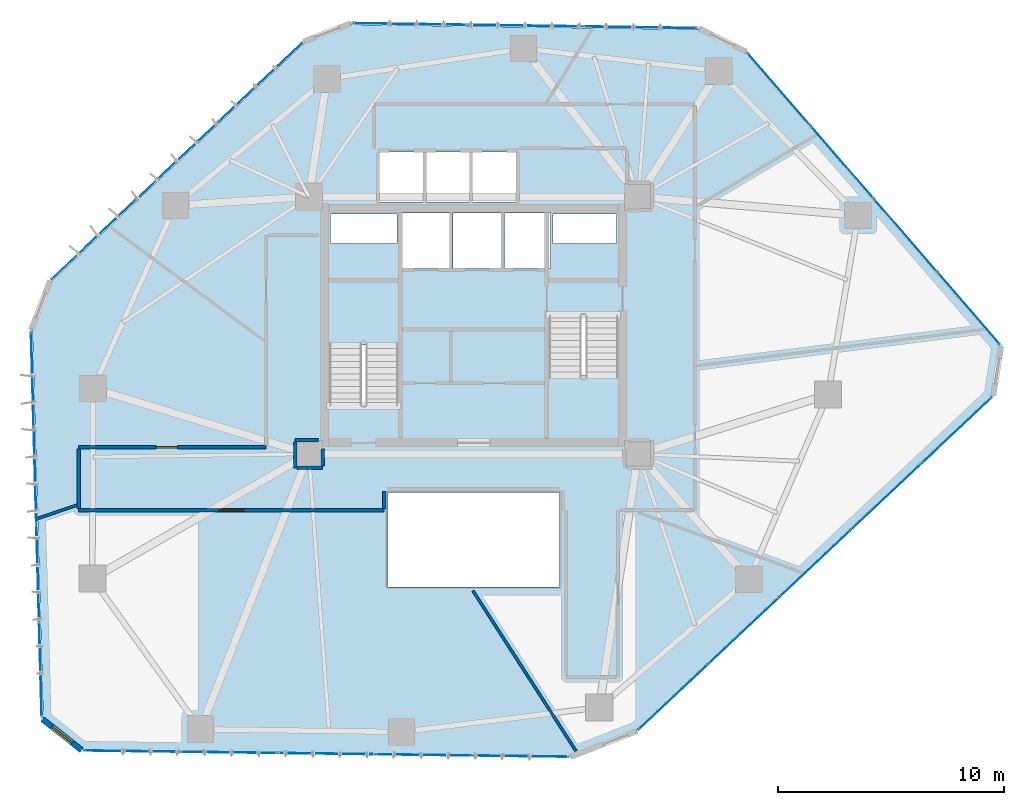
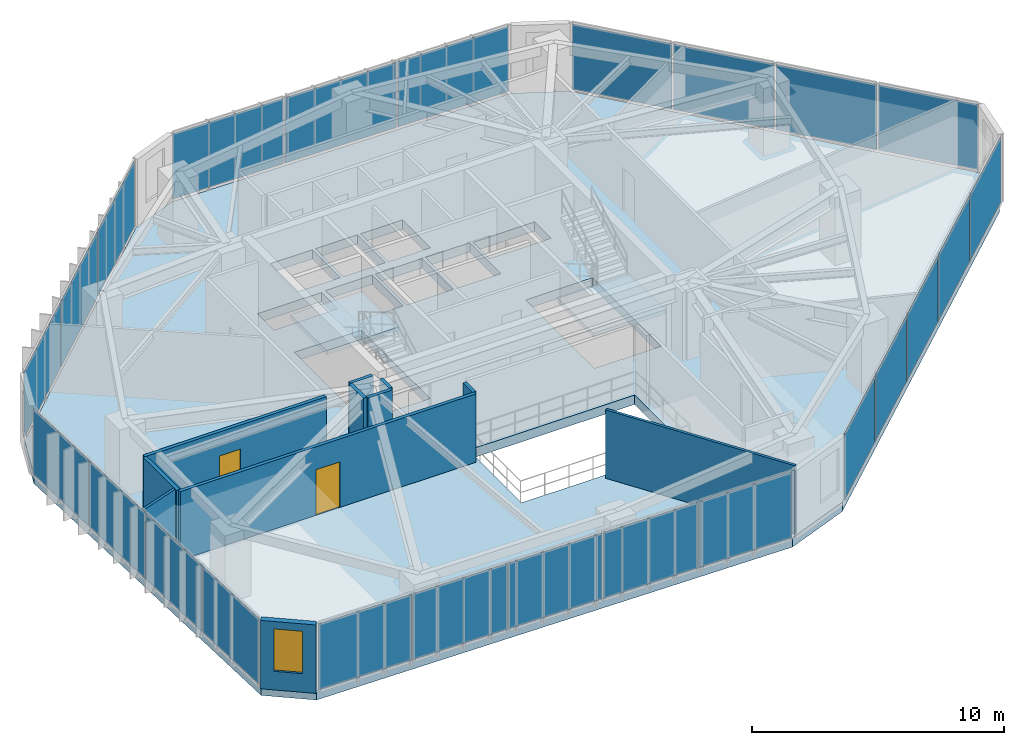
# One storey, part 17 of 22: 24 plates, 11 walls, 3 slabs, 2 doors, 1 window, 3 openings, 8 elements without a shape of their own.
"""IFC4 building model written with IfcOpenShell, lengths in metres."""

from ifc_helpers import new_model, si_unit, direction, frame, frame_2d, origin, origin_2d, place, context, subcontext, project, spatial, polyline, rectangle, outline, extrude, source, transform, mapped, material, layer, layer_set, type_object, type_shapes, element, fill, aggregate, save


model = new_model("IFC4")

# Units and contexts
model_context = context("Model", 3, precision=1e-05, world=origin(), true_north=direction((0.0, 1.0)))
body_context = subcontext(model_context, "Body", "Model", "MODEL_VIEW")
ifc_project = project(units=[si_unit("LENGTHUNIT", "METRE"), si_unit("AREAUNIT", "SQUARE_METRE"), si_unit("VOLUMEUNIT", "CUBIC_METRE"), si_unit("PLANEANGLEUNIT", "RADIAN"), si_unit("MASSUNIT", "GRAM", prefix="KILO")], contexts=[model_context])

# Site, building, storey
site_placement = place(None, origin())
site = spatial("IfcSite", under=ifc_project, at=site_placement, CompositionType="ELEMENT")
building_placement = place(site_placement, origin())
building = spatial("IfcBuilding", under=site, at=building_placement, Name="Talar Marvaseh", CompositionType="ELEMENT")
storey_placement = place(building_placement, frame((0.0, 0.0, 89.39990234375)))
storey = spatial("IfcBuildingStorey", under=building, at=storey_placement, Name="L22", CompositionType="ELEMENT", Elevation=89.39990234375)

# Stair, slab
ifc_material_1 = material(Name="Concrete C40/50", Category="concrete")
stair_type = type_object("IfcStairType", Name="Reinforced Concrete Half-Turn Exit Stair Type B", PredefinedType="HALF_TURN_STAIR", material=ifc_material_1)
stair_1_placement = place(storey_placement, origin())
stair_1 = element("IfcStair", 1, at=stair_1_placement, inside=storey, type_object=stair_type, Name="L22 Tower West Core Exit Stair", PredefinedType="HALF_TURN_STAIR")
ifc_layer_1 = layer(ifc_material_1, 0.199951171875)
ifc_layer_set_1 = layer_set([ifc_layer_1], Name="Concrete C40/50")
slab_type_1 = type_object("IfcSlabType", Name="Reinforced Concrete Stair Half-Landing Slab 200", PredefinedType="LANDING", material=ifc_layer_set_1)
slab_1_placement = place(storey_placement, frame((0.0, 0.0, 1.60009765625)))
slab_1 = element("IfcSlab", 2, at=slab_1_placement, type_object=slab_type_1, Name="ST-1 landing 1", PredefinedType="LANDING", context=body_context, shape_type="SweptSolid", body=[
    extrude(outline(polyline([(22.780029296875, 30.330078125), (22.780029296875, 33.219970703125), (19.47998046875, 33.219970703125), (19.47998046875, 30.330078125), (22.780029296875, 30.330078125)])), origin(), (0.0, 0.0, 1.0), 0.199951171875),
])
aggregate(stair_1, [slab_1])

stair_2_placement = place(storey_placement, origin())
stair_2 = element("IfcStair", 3, at=stair_2_placement, inside=storey, type_object=stair_type, Name="L22 Tower East Core Exit Stair", PredefinedType="HALF_TURN_STAIR")
slab_2_placement = place(storey_placement, frame((0.0, 0.0, 1.60009765625)))
slab_2 = element("IfcSlab", 4, at=slab_2_placement, type_object=slab_type_1, Name="ST-2 landing 1", PredefinedType="LANDING", context=body_context, shape_type="SweptSolid", body=[
    extrude(outline(polyline([(29.219970703125, 28.969970703125), (29.219970703125, 26.080078125), (32.52001953125, 26.080078125), (32.52001953125, 28.969970703125), (29.219970703125, 28.969970703125)])), origin(), (0.0, 0.0, 1.0), 0.199951171875),
])
aggregate(stair_2, [slab_2])

# Slab
ifc_material_2 = material(Name="Concrete C60/75", Category="concrete")
ifc_layer_2 = layer(ifc_material_2, 0.449951171875)
ifc_layer_set_2 = layer_set([ifc_layer_2], Name="Concrete C60/75")
slab_type_2 = type_object("IfcSlabType", Name="Structural Suspended Floor Slab 450", PredefinedType="FLOOR", material=ifc_layer_set_2)
slab_3_placement = place(storey_placement, frame((0.0, 0.0, -0.449951171875)))
element("IfcSlab", 5, at=slab_3_placement, inside=storey, type_object=slab_type_2, Name="L22 Tower Floor Slab", PredefinedType="FLOOR", context=body_context, shape_type="SweptSolid", body=[
    extrude(outline(polyline([(8.666015625, 12.416259765625), (6.927001953125, 13.791015625), (6.447998046875, 30.975830078125), (7.291748046875, 33.1591796875), (18.489013671875, 43.717529296875), (20.581298828125, 44.53125), (35.969970703125, 44.3115234375), (38.06689453125, 43.271728515625), (49.323974609375, 30.278076171875), (48.970458984375, 28.08984375), (33.222412109375, 13.2802734375), (30.28173828125, 12.13671875), (8.666015625, 12.416259765625)]), holes=[polyline([(22.659912109375, 27.64990234375), (22.659912109375, 33.10009765625), (19.60009765625, 33.10009765625), (19.60009765625, 27.64990234375), (22.659912109375, 27.64990234375)]), polyline([(29.340087890625, 31.64990234375), (29.340087890625, 26.199951171875), (32.39990234375, 26.199951171875), (32.39990234375, 31.64990234375), (29.340087890625, 31.64990234375)]), polyline([(22.800048828125, 33.719970703125), (24.93994140625, 33.719970703125), (24.93994140625, 36.179931640625), (22.800048828125, 36.179931640625), (22.800048828125, 33.719970703125)]), polyline([(25.080078125, 33.719970703125), (27.219970703125, 33.719970703125), (27.219970703125, 36.179931640625), (25.080078125, 36.179931640625), (25.080078125, 33.719970703125)]), polyline([(27.360107421875, 33.719970703125), (29.39990234375, 33.719970703125), (29.39990234375, 36.179931640625), (27.360107421875, 36.179931640625), (27.360107421875, 33.719970703125)]), polyline([(21.840087890625, 36.659912109375), (23.760009765625, 36.659912109375), (23.760009765625, 38.8798828125), (21.840087890625, 38.8798828125), (21.840087890625, 36.659912109375)]), polyline([(23.89990234375, 36.659912109375), (25.820068359375, 36.659912109375), (25.820068359375, 38.8798828125), (23.89990234375, 38.8798828125), (23.89990234375, 36.659912109375)]), polyline([(25.9599609375, 36.659912109375), (27.8798828125, 36.659912109375), (27.8798828125, 38.8798828125), (25.9599609375, 38.8798828125), (25.9599609375, 36.659912109375)]), polyline([(19.659912109375, 34.840087890625), (22.60009765625, 34.840087890625), (22.60009765625, 36.139892578125), (19.659912109375, 36.139892578125), (19.659912109375, 34.840087890625)]), polyline([(29.52001953125, 34.840087890625), (32.340087890625, 34.840087890625), (32.340087890625, 36.139892578125), (29.52001953125, 36.139892578125), (29.52001953125, 34.840087890625)]), polyline([(22.199951171875, 19.60009765625), (29.800048828125, 19.60009765625), (29.800048828125, 23.800048828125), (22.199951171875, 23.800048828125), (22.199951171875, 19.60009765625)])]), origin(), (0.0, 0.0, 1.0), 0.449951171875),
])

# Curtain wall, plates
ifc_material_3 = material(Name="Architectural Aluminium", Category="aluminium")
ifc_layer_3 = layer(ifc_material_3, 0.199951171875)
ifc_layer_set_3 = layer_set([ifc_layer_3], Name="Architectural Aluminium")
curtain_wall_type = type_object("IfcCurtainWallType", Name="Unitised Acoustic Library Curtain Wall Z2", PredefinedType="NOTDEFINED", material=ifc_layer_set_3)
curtain_wall_1_placement = place(storey_placement, origin())
curtain_wall_1 = element("IfcCurtainWall", 6, at=curtain_wall_1_placement, inside=storey, type_object=curtain_wall_type, Name="L22 Unitised Acoustic Library Curtain Wall Z2", PredefinedType="NOTDEFINED")
ifc_material_4 = material(Name="Laminated Low-E Solar Glass", Category="glass")
ifc_layer_4 = layer(ifc_material_4, 0.028076171875)
ifc_layer_set_4 = layer_set([ifc_layer_4], Name="Laminated Low-E Solar Glass")
plate_type = type_object("IfcPlateType", Name="Double-Glazed Low-E Vision Curtain Panel 28", PredefinedType="CURTAIN_PANEL", material=ifc_layer_set_4)
shared_shape_1 = source(origin(), body_context, "Body", "SweptSolid", [
    extrude(rectangle(XDim=4.185302734375, YDim=0.028076171875, at=origin_2d()), origin(), (0.0, 0.0, 1.0), 3.159912109375),
])
plate_1_placement = place(storey_placement, frame((6.806640625, 15.9560546875, 0.0751953125), z_axis=(0.0, 0.0, 1.0), x_axis=(-0.027856673719, 0.999611927565, 0.0)))
plate_1 = element("IfcPlate", 7, at=plate_1_placement, type_object=plate_type, Name="CW-Z2 panel 1.1", PredefinedType="CURTAIN_PANEL", context=body_context, shape_type="MappedRepresentation", body=[
    mapped(shared_shape_1, transform((0.0, 0.0, 0.0), x_axis=(1.0, 0.0, 0.0), y_axis=(0.0, 1.0, 0.0), z_axis=(0.0, 0.0, 1.0), scale=1.0)),
])
plate_2_placement = place(storey_placement, frame((6.448486328125, 28.80712890625, 0.0751953125), z_axis=(0.0, 0.0, 1.0), x_axis=(-0.027856673719, 0.999611927565, 0.0)))
plate_2 = element("IfcPlate", 8, at=plate_2_placement, type_object=plate_type, Name="CW-Z2 panel 4.1", PredefinedType="CURTAIN_PANEL", context=body_context, shape_type="MappedRepresentation", body=[
    mapped(shared_shape_1, transform((0.0, 0.0, 0.0), x_axis=(1.0, 0.0, 0.0), y_axis=(0.0, 1.0, 0.0), z_axis=(0.0, 0.0, 1.0), scale=1.0)),
])

curtain_wall_2_placement = place(storey_placement, origin())
curtain_wall_2 = element("IfcCurtainWall", 9, at=curtain_wall_2_placement, inside=storey, type_object=curtain_wall_type, Name="L22 Unitised Acoustic Library Curtain Wall Z2", PredefinedType="NOTDEFINED")
plate_3_placement = place(storey_placement, frame((39.53173828125, 41.672607421875, 0.0751953125), z_axis=(0.0, 0.0, 1.0), x_axis=(0.654790348396, -0.755810558041, 0.0)))
plate_3 = element("IfcPlate", 10, at=plate_3_placement, type_object=plate_type, Name="CW-Z2 panel 1.1", PredefinedType="CURTAIN_PANEL", context=body_context, shape_type="MappedRepresentation", body=[
    mapped(shared_shape_1, transform((0.0, 0.0, 0.0), x_axis=(1.0, 0.0, 0.0), y_axis=(0.0, 1.0, 0.0), z_axis=(0.0, 0.0, 1.0), scale=1.0)),
])
plate_4_placement = place(storey_placement, frame((47.94970703125, 31.955810546875, 0.0751953125), z_axis=(0.0, 0.0, 1.0), x_axis=(0.654790348396, -0.755810558041, 0.0)))
plate_4 = element("IfcPlate", 11, at=plate_4_placement, type_object=plate_type, Name="CW-Z2 panel 4.1", PredefinedType="CURTAIN_PANEL", context=body_context, shape_type="MappedRepresentation", body=[
    mapped(shared_shape_1, transform((0.0, 0.0, 0.0), x_axis=(1.0, 0.0, 0.0), y_axis=(0.0, 1.0, 0.0), z_axis=(0.0, 0.0, 1.0), scale=1.0)),
])

# Plate
shared_shape_2 = source(origin(), body_context, "Body", "SweptSolid", [
    extrude(rectangle(XDim=4.222900390625, YDim=0.028076171875, at=origin_2d()), origin(), (0.0, 0.0, 1.0), 3.159912109375),
])
plate_5_placement = place(storey_placement, frame((6.6875, 20.233642578125, 0.0751953125), z_axis=(0.0, 0.0, 1.0), x_axis=(-0.027856673719, 0.999611927565, 0.0)))
plate_5 = element("IfcPlate", 12, at=plate_5_placement, type_object=plate_type, Name="CW-Z2 panel 2.1", PredefinedType="CURTAIN_PANEL", context=body_context, shape_type="MappedRepresentation", body=[
    mapped(shared_shape_2, transform((0.0, 0.0, 0.0), x_axis=(1.0, 0.0, 0.0), y_axis=(0.0, 1.0, 0.0), z_axis=(0.0, 0.0, 1.0), scale=1.0)),
])

plate_6_placement = place(storey_placement, frame((6.567626953125, 24.52978515625, 0.0751953125), z_axis=(0.0, 0.0, 1.0), x_axis=(-0.027856673719, 0.999611927565, 0.0)))
plate_6 = element("IfcPlate", 13, at=plate_6_placement, type_object=plate_type, Name="CW-Z2 panel 3.1", PredefinedType="CURTAIN_PANEL", context=body_context, shape_type="MappedRepresentation", body=[
    mapped(shared_shape_2, transform((0.0, 0.0, 0.0), x_axis=(1.0, 0.0, 0.0), y_axis=(0.0, 1.0, 0.0), z_axis=(0.0, 0.0, 1.0), scale=1.0)),
])

aggregate(curtain_wall_1, [plate_1, plate_5, plate_6, plate_2])

plate_7_placement = place(storey_placement, frame((42.333740234375, 38.4384765625, 0.0751953125), z_axis=(0.0, 0.0, 1.0), x_axis=(0.654790348396, -0.755810558041, 0.0)))
plate_7 = element("IfcPlate", 14, at=plate_7_placement, type_object=plate_type, Name="CW-Z2 panel 2.1", PredefinedType="CURTAIN_PANEL", context=body_context, shape_type="MappedRepresentation", body=[
    mapped(shared_shape_2, transform((0.0, 0.0, 0.0), x_axis=(1.0, 0.0, 0.0), y_axis=(0.0, 1.0, 0.0), z_axis=(0.0, 0.0, 1.0), scale=1.0)),
])

plate_8_placement = place(storey_placement, frame((45.14794921875, 35.18994140625, 0.0751953125), z_axis=(0.0, 0.0, 1.0), x_axis=(0.654790348396, -0.755810558041, 0.0)))
plate_8 = element("IfcPlate", 15, at=plate_8_placement, type_object=plate_type, Name="CW-Z2 panel 3.1", PredefinedType="CURTAIN_PANEL", context=body_context, shape_type="MappedRepresentation", body=[
    mapped(shared_shape_2, transform((0.0, 0.0, 0.0), x_axis=(1.0, 0.0, 0.0), y_axis=(0.0, 1.0, 0.0), z_axis=(0.0, 0.0, 1.0), scale=1.0)),
])

aggregate(curtain_wall_2, [plate_3, plate_7, plate_8, plate_4])

# Curtain wall, plates
curtain_wall_3_placement = place(storey_placement, origin())
curtain_wall_3 = element("IfcCurtainWall", 16, at=curtain_wall_3_placement, inside=storey, type_object=curtain_wall_type, Name="L22 Unitised Acoustic Library Curtain Wall Z2", PredefinedType="NOTDEFINED")
shared_shape_3 = source(origin(), body_context, "Body", "SweptSolid", [
    extrude(rectangle(XDim=5.017578125, YDim=0.028076171875, at=origin_2d()), origin(), (0.0, 0.0, 1.0), 3.159912109375),
])
plate_9_placement = place(storey_placement, frame((9.13037109375, 34.9755859375, 0.0751953125), z_axis=(0.0, 0.0, 1.0), x_axis=(0.727558919133, 0.686045202002, 0.0)))
plate_9 = element("IfcPlate", 17, at=plate_9_placement, type_object=plate_type, Name="CW-Z2 panel 1.1", PredefinedType="CURTAIN_PANEL", context=body_context, shape_type="MappedRepresentation", body=[
    mapped(shared_shape_3, transform((0.0, 0.0, 0.0), x_axis=(1.0, 0.0, 0.0), y_axis=(0.0, 1.0, 0.0), z_axis=(0.0, 0.0, 1.0), scale=1.0)),
])
plate_10_placement = place(storey_placement, frame((16.56787109375, 41.98876953125, 0.0751953125), z_axis=(0.0, 0.0, 1.0), x_axis=(0.727558919133, 0.686045202002, 0.0)))
plate_10 = element("IfcPlate", 18, at=plate_10_placement, type_object=plate_type, Name="CW-Z2 panel 3.1", PredefinedType="CURTAIN_PANEL", context=body_context, shape_type="MappedRepresentation", body=[
    mapped(shared_shape_3, transform((0.0, 0.0, 0.0), x_axis=(1.0, 0.0, 0.0), y_axis=(0.0, 1.0, 0.0), z_axis=(0.0, 0.0, 1.0), scale=1.0)),
])

curtain_wall_4_placement = place(storey_placement, origin())
curtain_wall_4 = element("IfcCurtainWall", 19, at=curtain_wall_4_placement, inside=storey, type_object=curtain_wall_type, Name="L22 Unitised Acoustic Library Curtain Wall Z2", PredefinedType="NOTDEFINED")
plate_11_placement = place(storey_placement, frame((23.165771484375, 44.554443359375, 0.0751953125), z_axis=(0.0, 0.0, 1.0), x_axis=(0.999898102035, -0.014275347529, 0.0)))
plate_11 = element("IfcPlate", 20, at=plate_11_placement, type_object=plate_type, Name="CW-Z2 panel 1.1", PredefinedType="CURTAIN_PANEL", context=body_context, shape_type="MappedRepresentation", body=[
    mapped(shared_shape_3, transform((0.0, 0.0, 0.0), x_axis=(1.0, 0.0, 0.0), y_axis=(0.0, 1.0, 0.0), z_axis=(0.0, 0.0, 1.0), scale=1.0)),
])
plate_12_placement = place(storey_placement, frame((33.38720703125, 44.408447265625, 0.0751953125), z_axis=(0.0, 0.0, 1.0), x_axis=(0.999898102035, -0.014275347529, 0.0)))
plate_12 = element("IfcPlate", 21, at=plate_12_placement, type_object=plate_type, Name="CW-Z2 panel 3.1", PredefinedType="CURTAIN_PANEL", context=body_context, shape_type="MappedRepresentation", body=[
    mapped(shared_shape_3, transform((0.0, 0.0, 0.0), x_axis=(1.0, 0.0, 0.0), y_axis=(0.0, 1.0, 0.0), z_axis=(0.0, 0.0, 1.0), scale=1.0)),
])

# Plate
shared_shape_4 = source(origin(), body_context, "Body", "SweptSolid", [
    extrude(rectangle(XDim=5.054931640625, YDim=0.028076171875, at=origin_2d()), origin(), (0.0, 0.0, 1.0), 3.159912109375),
])
plate_13_placement = place(storey_placement, frame((12.84912109375, 38.482177734375, 0.0751953125), z_axis=(0.0, 0.0, 1.0), x_axis=(0.727558919133, 0.686045202002, 0.0)))
plate_13 = element("IfcPlate", 22, at=plate_13_placement, type_object=plate_type, Name="CW-Z2 panel 2.1", PredefinedType="CURTAIN_PANEL", context=body_context, shape_type="MappedRepresentation", body=[
    mapped(shared_shape_4, transform((0.0, 0.0, 0.0), x_axis=(1.0, 0.0, 0.0), y_axis=(0.0, 1.0, 0.0), z_axis=(0.0, 0.0, 1.0), scale=1.0)),
])

aggregate(curtain_wall_3, [plate_9, plate_13, plate_10])

shared_shape_5 = source(origin(), body_context, "Body", "SweptSolid", [
    extrude(rectangle(XDim=5.05517578125, YDim=0.028076171875, at=origin_2d()), origin(), (0.0, 0.0, 1.0), 3.159912109375),
])
plate_14_placement = place(storey_placement, frame((28.276611328125, 44.4814453125, 0.0751953125), z_axis=(0.0, 0.0, 1.0), x_axis=(0.999898102035, -0.014275347529, 0.0)))
plate_14 = element("IfcPlate", 23, at=plate_14_placement, type_object=plate_type, Name="CW-Z2 panel 2.1", PredefinedType="CURTAIN_PANEL", context=body_context, shape_type="MappedRepresentation", body=[
    mapped(shared_shape_5, transform((0.0, 0.0, 0.0), x_axis=(1.0, 0.0, 0.0), y_axis=(0.0, 1.0, 0.0), z_axis=(0.0, 0.0, 1.0), scale=1.0)),
])

aggregate(curtain_wall_4, [plate_11, plate_14, plate_12])

# Curtain wall, plates
curtain_wall_5_placement = place(storey_placement, origin())
curtain_wall_5 = element("IfcCurtainWall", 24, at=curtain_wall_5_placement, inside=storey, type_object=curtain_wall_type, Name="L22 Unitised Acoustic Library Curtain Wall Z2", PredefinedType="NOTDEFINED")
shared_shape_6 = source(origin(), body_context, "Body", "SweptSolid", [
    extrude(rectangle(XDim=4.2109375, YDim=0.028076171875, at=origin_2d()), origin(), (0.0, 0.0, 1.0), 3.159912109375),
])
plate_15_placement = place(storey_placement, frame((47.423095703125, 26.552490234375, 0.0751953125), z_axis=(0.0, 0.0, 1.0), x_axis=(-0.728478060594, -0.685069131718, 0.0)))
plate_15 = element("IfcPlate", 25, at=plate_15_placement, type_object=plate_type, Name="CW-Z2 panel 1.1", PredefinedType="CURTAIN_PANEL", context=body_context, shape_type="MappedRepresentation", body=[
    mapped(shared_shape_6, transform((0.0, 0.0, 0.0), x_axis=(1.0, 0.0, 0.0), y_axis=(0.0, 1.0, 0.0), z_axis=(0.0, 0.0, 1.0), scale=1.0)),
])
plate_16_placement = place(storey_placement, frame((34.85205078125, 14.73046875, 0.0751953125), z_axis=(0.0, 0.0, 1.0), x_axis=(-0.728478060594, -0.685069131718, 0.0)))
plate_16 = element("IfcPlate", 26, at=plate_16_placement, type_object=plate_type, Name="CW-Z2 panel 5.1", PredefinedType="CURTAIN_PANEL", context=body_context, shape_type="MappedRepresentation", body=[
    mapped(shared_shape_6, transform((0.0, 0.0, 0.0), x_axis=(1.0, 0.0, 0.0), y_axis=(0.0, 1.0, 0.0), z_axis=(0.0, 0.0, 1.0), scale=1.0)),
])

curtain_wall_6_placement = place(storey_placement, origin())
curtain_wall_6 = element("IfcCurtainWall", 27, at=curtain_wall_6_placement, inside=storey, type_object=curtain_wall_type, Name="L22 Unitised Acoustic Library Curtain Wall Z2", PredefinedType="NOTDEFINED")
plate_17_placement = place(storey_placement, frame((28.1005859375, 12.10498046875, 0.0751953125), z_axis=(0.0, 0.0, 1.0), x_axis=(-0.999916354381, 0.01293384095, 0.0)))
plate_17 = element("IfcPlate", 28, at=plate_17_placement, type_object=plate_type, Name="CW-Z2 panel 1.1", PredefinedType="CURTAIN_PANEL", context=body_context, shape_type="MappedRepresentation", body=[
    mapped(shared_shape_6, transform((0.0, 0.0, 0.0), x_axis=(1.0, 0.0, 0.0), y_axis=(0.0, 1.0, 0.0), z_axis=(0.0, 0.0, 1.0), scale=1.0)),
])
plate_18_placement = place(storey_placement, frame((10.845458984375, 12.328125, 0.0751953125), z_axis=(0.0, 0.0, 1.0), x_axis=(-0.999916354381, 0.01293384095, 0.0)))
plate_18 = element("IfcPlate", 29, at=plate_18_placement, type_object=plate_type, Name="CW-Z2 panel 5.1", PredefinedType="CURTAIN_PANEL", context=body_context, shape_type="MappedRepresentation", body=[
    mapped(shared_shape_6, transform((0.0, 0.0, 0.0), x_axis=(1.0, 0.0, 0.0), y_axis=(0.0, 1.0, 0.0), z_axis=(0.0, 0.0, 1.0), scale=1.0)),
])

# Plate
shared_shape_7 = source(origin(), body_context, "Body", "SweptSolid", [
    extrude(rectangle(XDim=4.24853515625, YDim=0.028076171875, at=origin_2d()), origin(), (0.0, 0.0, 1.0), 3.159912109375),
])
type_shapes(plate_type, [shared_shape_1, shared_shape_2, shared_shape_3, shared_shape_4, shared_shape_5, shared_shape_6, shared_shape_7])
plate_19_placement = place(storey_placement, frame((44.287109375, 23.603271484375, 0.0751953125), z_axis=(0.0, 0.0, 1.0), x_axis=(-0.728478060594, -0.685069131718, 0.0)))
plate_19 = element("IfcPlate", 30, at=plate_19_placement, type_object=plate_type, Name="CW-Z2 panel 2.1", PredefinedType="CURTAIN_PANEL", context=body_context, shape_type="MappedRepresentation", body=[
    mapped(shared_shape_7, transform((0.0, 0.0, 0.0), x_axis=(1.0, 0.0, 0.0), y_axis=(0.0, 1.0, 0.0), z_axis=(0.0, 0.0, 1.0), scale=1.0)),
])

plate_20_placement = place(storey_placement, frame((41.137451171875, 20.641357421875, 0.0751953125), z_axis=(0.0, 0.0, 1.0), x_axis=(-0.728478060594, -0.685069131718, 0.0)))
plate_20 = element("IfcPlate", 31, at=plate_20_placement, type_object=plate_type, Name="CW-Z2 panel 3.1", PredefinedType="CURTAIN_PANEL", context=body_context, shape_type="MappedRepresentation", body=[
    mapped(shared_shape_7, transform((0.0, 0.0, 0.0), x_axis=(1.0, 0.0, 0.0), y_axis=(0.0, 1.0, 0.0), z_axis=(0.0, 0.0, 1.0), scale=1.0)),
])

plate_21_placement = place(storey_placement, frame((37.98779296875, 17.679443359375, 0.0751953125), z_axis=(0.0, 0.0, 1.0), x_axis=(-0.728478060594, -0.685069131718, 0.0)))
plate_21 = element("IfcPlate", 32, at=plate_21_placement, type_object=plate_type, Name="CW-Z2 panel 4.1", PredefinedType="CURTAIN_PANEL", context=body_context, shape_type="MappedRepresentation", body=[
    mapped(shared_shape_7, transform((0.0, 0.0, 0.0), x_axis=(1.0, 0.0, 0.0), y_axis=(0.0, 1.0, 0.0), z_axis=(0.0, 0.0, 1.0), scale=1.0)),
])

aggregate(curtain_wall_5, [plate_15, plate_19, plate_20, plate_21, plate_16])

plate_22_placement = place(storey_placement, frame((23.796142578125, 12.16064453125, 0.0751953125), z_axis=(0.0, 0.0, 1.0), x_axis=(-0.999916354381, 0.01293384095, 0.0)))
plate_22 = element("IfcPlate", 33, at=plate_22_placement, type_object=plate_type, Name="CW-Z2 panel 2.1", PredefinedType="CURTAIN_PANEL", context=body_context, shape_type="MappedRepresentation", body=[
    mapped(shared_shape_7, transform((0.0, 0.0, 0.0), x_axis=(1.0, 0.0, 0.0), y_axis=(0.0, 1.0, 0.0), z_axis=(0.0, 0.0, 1.0), scale=1.0)),
])

plate_23_placement = place(storey_placement, frame((19.47314453125, 12.216552734375, 0.0751953125), z_axis=(0.0, 0.0, 1.0), x_axis=(-0.999916354381, 0.01293384095, 0.0)))
plate_23 = element("IfcPlate", 34, at=plate_23_placement, type_object=plate_type, Name="CW-Z2 panel 3.1", PredefinedType="CURTAIN_PANEL", context=body_context, shape_type="MappedRepresentation", body=[
    mapped(shared_shape_7, transform((0.0, 0.0, 0.0), x_axis=(1.0, 0.0, 0.0), y_axis=(0.0, 1.0, 0.0), z_axis=(0.0, 0.0, 1.0), scale=1.0)),
])

plate_24_placement = place(storey_placement, frame((15.14990234375, 12.2724609375, 0.0751953125), z_axis=(0.0, 0.0, 1.0), x_axis=(-0.999916354381, 0.01293384095, 0.0)))
plate_24 = element("IfcPlate", 35, at=plate_24_placement, type_object=plate_type, Name="CW-Z2 panel 4.1", PredefinedType="CURTAIN_PANEL", context=body_context, shape_type="MappedRepresentation", body=[
    mapped(shared_shape_7, transform((0.0, 0.0, 0.0), x_axis=(1.0, 0.0, 0.0), y_axis=(0.0, 1.0, 0.0), z_axis=(0.0, 0.0, 1.0), scale=1.0)),
])

aggregate(curtain_wall_6, [plate_17, plate_22, plate_23, plate_24, plate_18])

# Wall, opening, window
ifc_material_5 = material(Name="Precast concrete C45/55", Category="concrete")
ifc_layer_5 = layer(ifc_material_5, 0.2548828125)
ifc_layer_set_5 = layer_set([ifc_layer_5], Name="Precast concrete C45/55")
wall_type_1 = type_object("IfcWallType", Name="Chamfered Hexagonal Corner Pier Wall Z2 255", PredefinedType="SOLIDWALL", material=ifc_layer_set_5)
wall_1_placement = place(storey_placement, frame((8.628662109375, 12.369140625, 0.0), z_axis=(0.0, 0.0, 1.0), x_axis=(-0.78443428427, 0.620211942534, 0.0)))
wall_1 = element("IfcWall", 36, at=wall_1_placement, inside=storey, type_object=wall_type_1, Name="L22 Chamfered Corner Limestone Pier 1", PredefinedType="SOLIDWALL", context=body_context, shape_type="SweptSolid", body=[
    extrude(rectangle(XDim=2.216552734375, YDim=0.2548828125, at=frame_2d((1.1083984375, 0.0))), origin(), (0.0, 0.0, 1.0), 3.31005859375),
])
opening_1_placement = place(wall_1_placement, frame((0.532958984375, 0.0, 0.89990234375)))
opening_1 = element("IfcOpeningElement", 37, at=opening_1_placement, cuts=wall_1, Name="Opening WN-CHM11", PredefinedType="OPENING", context=body_context, shape_type="SweptSolid", body=[
    extrude(rectangle(XDim=1.14990234375, YDim=2.050048828125, at=frame_2d((0.574951171875, 1.02490234375))), frame((0.0, 0.137451171875, 0.0), z_axis=(0.0, -1.0, 0.0), x_axis=(1.0, 0.0, 0.0)), (0.0, 0.0, 1.0), 0.27490234375),
])
window_type = type_object("IfcWindowType", Name="Zone 2 Chamfered Corner Slot Window 1150x2050", PartitioningType="SINGLE_PANEL", PredefinedType="WINDOW", material=ifc_material_4)
shared_shape_8 = source(origin(), body_context, "Body", "SweptSolid", [
    extrude(rectangle(XDim=1.14990234375, YDim=2.050048828125, at=frame_2d((0.574951171875, 1.02490234375))), frame((0.0, 0.030029296875, 0.0), z_axis=(0.0, -1.0, 0.0), x_axis=(1.0, 0.0, 0.0)), (0.0, 0.0, 1.0), 0.06005859375),
])
type_shapes(window_type, [shared_shape_8])
window_placement = place(opening_1_placement, origin())
window = element("IfcWindow", 38, at=window_placement, inside=storey, type_object=window_type, Name="L22 Chamfered Corner Slot Window", OverallHeight=2.050048828125, OverallWidth=1.14990234375, PartitioningType="SINGLE_PANEL", PredefinedType="WINDOW", context=body_context, shape_type="MappedRepresentation", body=[
    mapped(shared_shape_8, transform((0.0, 0.0, 0.0), x_axis=(1.0, 0.0, 0.0), y_axis=(0.0, 1.0, 0.0), z_axis=(0.0, 0.0, 1.0), scale=1.0)),
])
fill(opening_1, window)

# Wall, opening, door
ifc_material_6 = material(Name="Gypsum Board Partition Assembly")
ifc_layer_6 = layer(ifc_material_6, 0.155029296875)
ifc_layer_set_6 = layer_set([ifc_layer_6], Name="Gypsum Board Partition Assembly")
wall_type_2 = type_object("IfcWallType", Name="Corridor Fire-Rated Acoustic Partition 155", PredefinedType="PARTITIONING", material=ifc_layer_set_6)
wall_2_placement = place(storey_placement, frame((22.0400390625, 23.0, 0.0), z_axis=(0.0, 0.0, 1.0), x_axis=(-1.0, 0.0, 0.0)))
wall_2 = element("IfcWall", 39, at=wall_2_placement, inside=storey, type_object=wall_type_2, Name="L22 Interior Partition Wall", PredefinedType="PARTITIONING", context=body_context, shape_type="SweptSolid", body=[
    extrude(rectangle(XDim=13.5400390625, YDim=0.155029296875, at=frame_2d((6.77001953125, 0.0))), origin(), (0.0, 0.0, 1.0), 3.31005859375),
])
opening_2_placement = place(wall_2_placement, frame((6.219970703125, 0.0, 0.0)))
opening_2 = element("IfcOpeningElement", 40, at=opening_2_placement, cuts=wall_2, Name="Opening DR-RM110", PredefinedType="OPENING", context=body_context, shape_type="SweptSolid", body=[
    extrude(rectangle(XDim=1.10009765625, YDim=2.199951171875, at=frame_2d((0.550048828125, 1.10009765625))), frame((0.0, 0.08740234375, 0.0), z_axis=(0.0, -1.0, 0.0), x_axis=(1.0, 0.0, 0.0)), (0.0, 0.0, 1.0), 0.175048828125),
])
ifc_material_7 = material(Name="Acoustic Engineered Oak Timber", Category="wood")
door_type_1 = type_object("IfcDoorType", Name="Assembly and Reading Hall Door 1100x2200", OperationType="NOTDEFINED", PredefinedType="DOOR", material=ifc_material_7)
shared_shape_9 = source(origin(), body_context, "Body", "SweptSolid", [
    extrude(rectangle(XDim=1.10009765625, YDim=2.199951171875, at=frame_2d((0.550048828125, 1.10009765625))), frame((0.0, 0.02490234375, 0.0), z_axis=(0.0, -1.0, 0.0), x_axis=(1.0, 0.0, 0.0)), (0.0, 0.0, 1.0), 0.050048828125),
])
type_shapes(door_type_1, [shared_shape_9])
door_1_placement = place(opening_2_placement, origin())
door_1 = element("IfcDoor", 41, at=door_1_placement, inside=storey, type_object=door_type_1, Name="L22 Exhibition Gallery Door", OperationType="SINGLE_SWING_LEFT", OverallHeight=2.199951171875, OverallWidth=1.10009765625, PredefinedType="DOOR", context=body_context, shape_type="MappedRepresentation", body=[
    mapped(shared_shape_9, transform((0.0, 0.0, 0.0), x_axis=(1.0, 0.0, 0.0), y_axis=(0.0, 1.0, 0.0), z_axis=(0.0, 0.0, 1.0), scale=1.0)),
])
fill(opening_2, door_1)

wall_3_placement = place(storey_placement, frame((8.5, 25.800048828125, 0.0), z_axis=(0.0, 0.0, 1.0), x_axis=(1.0, 0.0, 0.0)))
wall_3 = element("IfcWall", 42, at=wall_3_placement, inside=storey, type_object=wall_type_2, Name="L22 Interior Partition Wall", PredefinedType="PARTITIONING", context=body_context, shape_type="SweptSolid", body=[
    extrude(rectangle(XDim=8.300048828125, YDim=0.155029296875, at=frame_2d((4.14990234375, 0.0))), origin(), (0.0, 0.0, 1.0), 3.31005859375),
])
opening_3_placement = place(wall_3_placement, frame((3.42138671875, 0.0, 0.0)))
opening_3 = element("IfcOpeningElement", 43, at=opening_3_placement, cuts=wall_3, Name="Opening DR-WC095", PredefinedType="OPENING", context=body_context, shape_type="SweptSolid", body=[
    extrude(rectangle(XDim=0.949951171875, YDim=2.14990234375, at=frame_2d((0.47509765625, 1.074951171875))), frame((0.0, 0.08740234375, 0.0), z_axis=(0.0, -1.0, 0.0), x_axis=(1.0, 0.0, 0.0)), (0.0, 0.0, 1.0), 0.175048828125),
])
door_type_2 = type_object("IfcDoorType", Name="Washroom and Service Room Door 950x2150", OperationType="NOTDEFINED", PredefinedType="DOOR", material=ifc_material_7)
shared_shape_10 = source(origin(), body_context, "Body", "SweptSolid", [
    extrude(rectangle(XDim=0.949951171875, YDim=2.14990234375, at=frame_2d((0.47509765625, 1.074951171875))), frame((0.0, 0.02490234375, 0.0), z_axis=(0.0, -1.0, 0.0), x_axis=(1.0, 0.0, 0.0)), (0.0, 0.0, 1.0), 0.050048828125),
])
type_shapes(door_type_2, [shared_shape_10])
door_2_placement = place(opening_3_placement, origin())
door_2 = element("IfcDoor", 44, at=door_2_placement, inside=storey, type_object=door_type_2, Name="L22 Fellows' Coffee Pantry Door", OperationType="SINGLE_SWING_RIGHT", OverallHeight=2.14990234375, OverallWidth=0.949951171875, PredefinedType="DOOR", context=body_context, shape_type="MappedRepresentation", body=[
    mapped(shared_shape_10, transform((0.0, 0.0, 0.0), x_axis=(1.0, 0.0, 0.0), y_axis=(0.0, 1.0, 0.0), z_axis=(0.0, 0.0, 1.0), scale=1.0)),
])
fill(opening_3, door_2)

# Walls
wall_4_placement = place(storey_placement, frame((22.043212890625, 23.831298828125, 0.0), z_axis=(0.0, 0.0, 1.0), x_axis=(-0.003917697652, -0.999992325793, 0.0)))
element("IfcWall", 45, at=wall_4_placement, inside=storey, type_object=wall_type_2, Name="L22 Interior Partition Wall", PredefinedType="PARTITIONING", context=body_context, shape_type="SweptSolid", body=[
    extrude(rectangle(XDim=0.747802734375, YDim=0.155029296875, at=frame_2d((0.3740234375, 0.0))), origin(), (0.0, 0.0, 1.0), 3.31005859375),
])
wall_5_placement = place(storey_placement, frame((8.5, 23.08349609375, 0.0), z_axis=(0.0, 0.0, 1.0), x_axis=(0.0, 1.0, 0.0)))
element("IfcWall", 46, at=wall_5_placement, inside=storey, type_object=wall_type_2, Name="L22 Interior Partition Wall", PredefinedType="PARTITIONING", context=body_context, shape_type="SweptSolid", body=[
    extrude(rectangle(XDim=2.633056640625, YDim=0.155029296875, at=frame_2d((1.31640625, 0.0))), origin(), (0.0, 0.0, 1.0), 3.31005859375),
])
wall_6_placement = place(storey_placement, frame((19.1298828125, 26.114990234375, 0.0), z_axis=(0.0, 0.0, 1.0), x_axis=(-0.999986702653, -0.005156987215, 0.0)))
element("IfcWall", 47, at=wall_6_placement, inside=storey, type_object=wall_type_2, Name="L22 Interior Partition Wall", PredefinedType="PARTITIONING", context=body_context, shape_type="SweptSolid", body=[
    extrude(rectangle(XDim=1.04150390625, YDim=0.155029296875, at=frame_2d((0.520751953125, 0.0))), origin(), (0.0, 0.0, 1.0), 3.31005859375),
])
wall_7_placement = place(storey_placement, frame((18.088623046875, 26.02587890625, 0.0), z_axis=(0.0, 0.0, 1.0), x_axis=(0.002787893948, -0.999996113816, 0.0)))
element("IfcWall", 48, at=wall_7_placement, inside=storey, type_object=wall_type_2, Name="L22 Interior Partition Wall", PredefinedType="PARTITIONING", context=body_context, shape_type="SweptSolid", body=[
    extrude(rectangle(XDim=1.138427734375, YDim=0.155029296875, at=frame_2d((0.5693359375, 0.0))), origin(), (0.0, 0.0, 1.0), 3.31005859375),
])
wall_8_placement = place(storey_placement, frame((18.17529296875, 24.8876953125, 0.0), z_axis=(0.0, 0.0, 1.0), x_axis=(0.999999791525, 0.000645716611, 0.0)))
element("IfcWall", 49, at=wall_8_placement, inside=storey, type_object=wall_type_2, Name="L22 Interior Partition Wall", PredefinedType="PARTITIONING", context=body_context, shape_type="SweptSolid", body=[
    extrude(rectangle(XDim=1.13427734375, YDim=0.155029296875, at=frame_2d((0.567138671875, 0.0))), origin(), (0.0, 0.0, 1.0), 3.31005859375),
])
wall_9_placement = place(storey_placement, frame((19.31005859375, 24.971923828125, 0.0), z_axis=(0.0, 0.0, 1.0), x_axis=(0.006441090216, 0.999979255963, 0.0)))
element("IfcWall", 50, at=wall_9_placement, inside=storey, type_object=wall_type_2, Name="L22 Interior Partition Wall", PredefinedType="PARTITIONING", context=body_context, shape_type="SweptSolid", body=[
    extrude(rectangle(XDim=0.758056640625, YDim=0.155029296875, at=frame_2d((0.37890625, 0.0))), origin(), (0.0, 0.0, 1.0), 3.31005859375),
])
ifc_layer_7 = layer(ifc_material_6, 0.1201171875)
ifc_layer_set_7 = layer_set([ifc_layer_7], Name="Gypsum Board Partition Assembly")
wall_type_3 = type_object("IfcWallType", Name="Demountable Studio Room Partition 120", PredefinedType="PARTITIONING", material=ifc_layer_set_7)
wall_10_placement = place(storey_placement, frame((25.969970703125, 19.43994140625, 0.0), z_axis=(0.0, 0.0, 1.0), x_axis=(0.54087459051, -0.841103250107, 0.0)))
element("IfcWall", 51, at=wall_10_placement, inside=storey, type_object=wall_type_3, Name="L22 Interior Partition Wall", PredefinedType="PARTITIONING", context=body_context, shape_type="SweptSolid", body=[
    extrude(rectangle(XDim=8.436767578125, YDim=0.1201171875, at=frame_2d((4.21826171875, 0.0))), origin(), (0.0, 0.0, 1.0), 3.31005859375),
])
wall_11_placement = place(storey_placement, frame((6.64453125, 22.630615234375, 0.0), z_axis=(0.0, 0.0, 1.0), x_axis=(0.946999965534, 0.321233661497, 0.0)))
element("IfcWall", 52, at=wall_11_placement, inside=storey, type_object=wall_type_3, Name="L22 Interior Partition Wall", PredefinedType="PARTITIONING", context=body_context, shape_type="SweptSolid", body=[
    extrude(rectangle(XDim=1.87109375, YDim=0.1201171875, at=frame_2d((0.935546875, 0.0))), origin(), (0.0, 0.0, 1.0), 3.31005859375),
])

save(model, "model.ifc")
